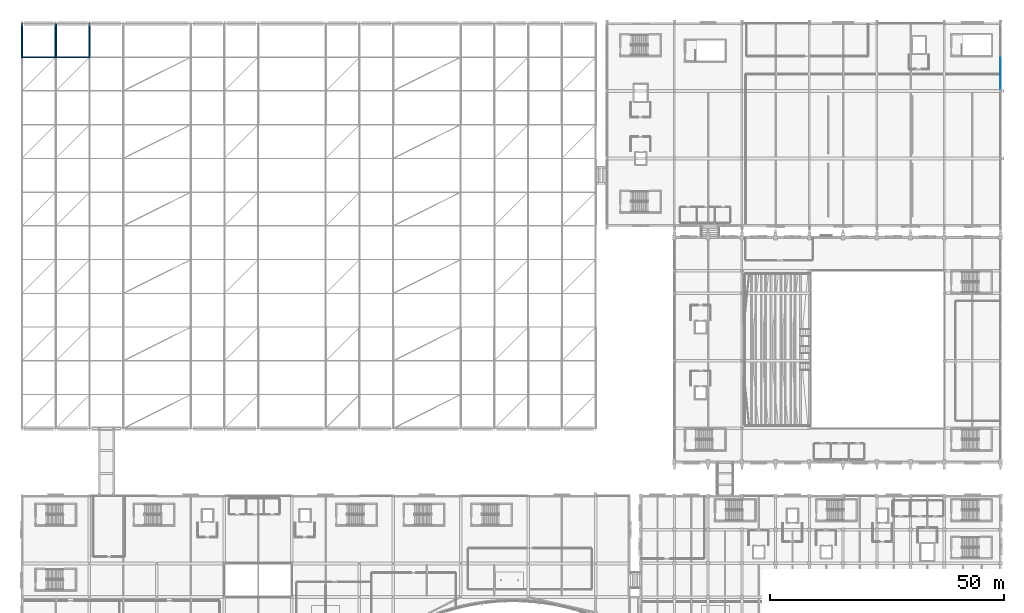
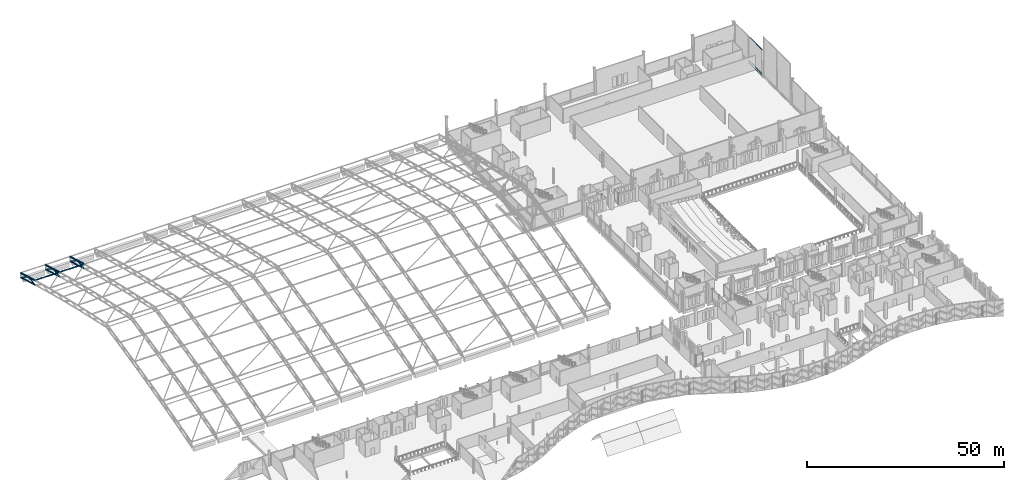
# One storey, part 96 of 193: 17 members, 1 element without a shape of its own.
"""IFC4 building model written with IfcOpenShell, lengths in metres."""

from ifc_helpers import new_model, si_unit, direction, frame, origin, origin_2d, place, context, subcontext, project, spatial, hollow_rectangle, hollow_circle, i_section, extrude, material, material_profile, profile_set, type_object, element, aggregate, save


model = new_model("IFC4")

# Units and contexts
model_context = context("Model", 3, precision=1e-05, world=origin(), true_north=direction((0.0, 1.0)))
body_context = subcontext(model_context, "Body", "Model", "MODEL_VIEW")
ifc_project = project(units=[si_unit("LENGTHUNIT", "METRE"), si_unit("AREAUNIT", "SQUARE_METRE"), si_unit("VOLUMEUNIT", "CUBIC_METRE"), si_unit("PLANEANGLEUNIT", "RADIAN"), si_unit("MASSUNIT", "GRAM", prefix="KILO")], contexts=[model_context])

# Site, building, storey
site_placement = place(None, origin())
site = spatial("IfcSite", under=ifc_project, at=site_placement, CompositionType="ELEMENT")
building_placement = place(site_placement, origin())
building = spatial("IfcBuilding", under=site, at=building_placement, Name="Cendralis Lancet Convention Centre", CompositionType="ELEMENT")
storey_placement = place(building_placement, frame((0.0, 0.0, 10.199951171875)))
storey = spatial("IfcBuildingStorey", under=building, at=storey_placement, Name="L02", CompositionType="ELEMENT", Elevation=10.199951171875)

# Curtain wall, members
ifc_material_1 = material(Name="Anodised bronze architectural aluminium", Category="aluminium")
curtain_wall_type = type_object("IfcCurtainWallType", Name="ARC-CW-BL02", PredefinedType="USERDEFINED", material=ifc_material_1)
curtain_wall_placement = place(storey_placement, origin())
curtain_wall = element("IfcCurtainWall", 1, at=curtain_wall_placement, inside=storey, type_object=curtain_wall_type, Name="L02 Curtain Wall CW-BL2 #162", ObjectType="CURTAIN WALL", PredefinedType="USERDEFINED")
ifc_material_profile_1 = material_profile(ifc_material_1, hollow_rectangle(XDim=0.06005859375, YDim=0.1201171875, WallThickness=0.00390625, at=origin_2d()), Name="AL-TRAN 60x120x4.0")
ifc_profile_set_1 = profile_set([ifc_material_profile_1], Name="Anodised bronze architectural aluminium")
member_type_1 = type_object("IfcMemberType", Name="ARC-CW-TR01", PredefinedType="USERDEFINED", material=ifc_profile_set_1)
member_1_placement = place(storey_placement, frame((208.800048828125, 129.530029296875, 0.06005859375), z_axis=(0.0, -1.0, 0.0), x_axis=(1.0, 0.0, 0.0)))
member_1 = element("IfcMember", 2, at=member_1_placement, type_object=member_type_1, Name="Transom CW2-CW-BL2-L02-162-T1BOT", ObjectType="TRANSOM", PredefinedType="USERDEFINED", context=body_context, shape_type="SweptSolid", body=[
    extrude(hollow_rectangle(XDim=0.06005859375, YDim=0.1201171875, WallThickness=0.00390625, at=origin_2d()), origin(), (0.0, 0.0, 1.0), 6.68505859375),
])
member_2_placement = place(storey_placement, frame((208.800048828125, 129.530029296875, 0.75), z_axis=(0.0, -1.0, 0.0), x_axis=(1.0, 0.0, 0.0)))
member_2 = element("IfcMember", 3, at=member_2_placement, type_object=member_type_1, Name="Transom CW2-CW-BL2-L02-162-T1MID", ObjectType="TRANSOM", PredefinedType="USERDEFINED", context=body_context, shape_type="SweptSolid", body=[
    extrude(hollow_rectangle(XDim=0.06005859375, YDim=0.1201171875, WallThickness=0.00390625, at=origin_2d()), origin(), (0.0, 0.0, 1.0), 6.68505859375),
])
member_3_placement = place(storey_placement, frame((208.800048828125, 129.530029296875, 8.18994140625), z_axis=(0.0, -1.0, 0.0), x_axis=(1.0, 0.0, 0.0)))
member_3 = element("IfcMember", 4, at=member_3_placement, type_object=member_type_1, Name="Transom CW2-CW-BL2-L02-162-T1TOP", ObjectType="TRANSOM", PredefinedType="USERDEFINED", context=body_context, shape_type="SweptSolid", body=[
    extrude(hollow_rectangle(XDim=0.06005859375, YDim=0.1201171875, WallThickness=0.00390625, at=origin_2d()), origin(), (0.0, 0.0, 1.0), 6.68505859375),
])
aggregate(curtain_wall, [member_1, member_2, member_3])

# Members
ifc_material_2 = material(Name="Steel S355", Category="steel")
ifc_material_profile_2 = material_profile(ifc_material_2, i_section(OverallWidth=0.135009765625, OverallDepth=0.27001953125, WebThickness=0.006591796875, FlangeThickness=0.01025390625, FilletRadius=0.014892578125, at=origin_2d()), Name="IPE 270")
ifc_profile_set_2 = profile_set([ifc_material_profile_2], Name="Steel S355")
member_type_2 = type_object("IfcMemberType", Name="STR-PR-PR01", PredefinedType="PURLIN", material=ifc_profile_set_2)
for number, where, z_axis, x_axis, name in (
    (5, (0.0, 129.60009765625, 5.771728515625), (1.0, 0.0, 0.0), (0.0, 1.0, 0.0), "Vault Roof Purlin PR01 V1-00-11"),
    (6, (7.199951171875, 129.60009765625, 5.771728515625), (1.0, 0.0, 0.0), (0.0, 1.0, 0.0), "Vault Roof Purlin PR01 V1-01-11"),
):
    element("IfcMember", number, at=place(storey_placement, frame(where, z_axis=z_axis, x_axis=x_axis)), inside=storey, type_object=member_type_2, Name=name, PredefinedType="PURLIN", context=body_context, shape_type="SweptSolid", body=[
        extrude(i_section(OverallWidth=0.135009765625, OverallDepth=0.27001953125, WebThickness=0.006591796875, FlangeThickness=0.01025390625, FilletRadius=0.014892578125, at=origin_2d()), origin(), (0.0, 0.0, 1.0), 7.199951171875),
    ])
ifc_material_profile_3 = material_profile(ifc_material_2, hollow_circle(Radius=0.203125, WallThickness=0.01611328125, at=origin_2d()), Name="CHS 406.4x16.0")
ifc_profile_set_3 = profile_set([ifc_material_profile_3], Name="Steel S355")
member_type_3 = type_object("IfcMemberType", Name="STR-TR-BC01", PredefinedType="CHORD", material=ifc_profile_set_3)
member_4_placement = place(storey_placement, frame((0.0, 129.48486328125, 4.32763671875), z_axis=(0.0, 0.960210680483, -0.279276653315), x_axis=(-1.0, 0.0, 0.0)))
element("IfcMember", 7, at=member_4_placement, inside=storey, type_object=member_type_3, Name="ROOF TRUSS AT-V1-01 Bottom Chord 11", PredefinedType="CHORD", context=body_context, shape_type="SweptSolid", body=[
    extrude(hollow_circle(Radius=0.203125, WallThickness=0.01611328125, at=origin_2d()), origin(), (0.0, 0.0, 1.0), 7.73828125),
])
ifc_material_profile_4 = material_profile(ifc_material_2, hollow_circle(Radius=0.203125, WallThickness=0.01611328125, at=origin_2d()), Name="CHS 406.4x16.0")
ifc_profile_set_4 = profile_set([ifc_material_profile_4], Name="Steel S355")
member_type_4 = type_object("IfcMemberType", Name="STR-TR-BC01-INT", PredefinedType="CHORD", material=ifc_profile_set_4)
for number, where, z_axis, x_axis, name in (
    (8, (7.199951171875, 129.48486328125, 4.32763671875), (0.0, 0.960210680483, -0.279276653315), (-1.0, 0.0, 0.0), "ROOF TRUSS AT-V1-02 Bottom Chord 11"),
    (9, (14.39990234375, 129.48486328125, 4.32763671875), (0.0, 0.960210680483, -0.279276653315), (-1.0, 0.0, 0.0), "ROOF TRUSS AT-V1-03 Bottom Chord 11"),
):
    element("IfcMember", number, at=place(storey_placement, frame(where, z_axis=z_axis, x_axis=x_axis)), inside=storey, type_object=member_type_4, Name=name, PredefinedType="CHORD", context=body_context, shape_type="SweptSolid", body=[
        extrude(hollow_circle(Radius=0.203125, WallThickness=0.01611328125, at=origin_2d()), origin(), (0.0, 0.0, 1.0), 7.73828125),
    ])
ifc_material_profile_5 = material_profile(ifc_material_2, hollow_circle(Radius=0.25390625, WallThickness=0.02001953125, at=origin_2d()), Name="CHS 508.0x20.0")
ifc_profile_set_5 = profile_set([ifc_material_profile_5], Name="Steel S355")
member_type_5 = type_object("IfcMemberType", Name="STR-TR-TC01", PredefinedType="CHORD", material=ifc_profile_set_5)
member_5_placement = place(storey_placement, frame((0.0, 129.484619140625, 5.689697265625), z_axis=(0.0, 0.961540636093, -0.274662711598), x_axis=(-1.0, 0.0, 0.0)))
element("IfcMember", 10, at=member_5_placement, inside=storey, type_object=member_type_5, Name="ROOF TRUSS AT-V1-01 Top Chord 11", PredefinedType="CHORD", context=body_context, shape_type="SweptSolid", body=[
    extrude(hollow_circle(Radius=0.25390625, WallThickness=0.02001953125, at=origin_2d()), origin(), (0.0, 0.0, 1.0), 7.727783203125),
])
ifc_material_profile_6 = material_profile(ifc_material_2, hollow_circle(Radius=0.25390625, WallThickness=0.02001953125, at=origin_2d()), Name="CHS 508.0x20.0")
ifc_profile_set_6 = profile_set([ifc_material_profile_6], Name="Steel S355")
member_type_6 = type_object("IfcMemberType", Name="STR-TR-TC01-INT", PredefinedType="CHORD", material=ifc_profile_set_6)
for number, where, z_axis, x_axis, name in (
    (11, (7.199951171875, 129.484619140625, 5.689697265625), (0.0, 0.961540636093, -0.274662711598), (-1.0, 0.0, 0.0), "ROOF TRUSS AT-V1-02 Top Chord 11"),
    (12, (14.39990234375, 129.484619140625, 5.689697265625), (0.0, 0.961540636093, -0.274662711598), (-1.0, 0.0, 0.0), "ROOF TRUSS AT-V1-03 Top Chord 11"),
):
    element("IfcMember", number, at=place(storey_placement, frame(where, z_axis=z_axis, x_axis=x_axis)), inside=storey, type_object=member_type_6, Name=name, PredefinedType="CHORD", context=body_context, shape_type="SweptSolid", body=[
        extrude(hollow_circle(Radius=0.25390625, WallThickness=0.02001953125, at=origin_2d()), origin(), (0.0, 0.0, 1.0), 7.727783203125),
    ])
ifc_material_profile_7 = material_profile(ifc_material_2, hollow_circle(Radius=0.149169921875, WallThickness=0.012451171875, at=origin_2d()), Name="CHS 298.5x12.5")
ifc_profile_set_7 = profile_set([ifc_material_profile_7], Name="Steel S355")
member_type_7 = type_object("IfcMemberType", Name="STR-TR-WD01", PredefinedType="BRACE", material=ifc_profile_set_7)
member_6_placement = place(storey_placement, frame((0.0, 129.50048828125, 4.284912109375), z_axis=(0.0, 0.995716162115, 0.092462557307), x_axis=(-1.0, 0.0, 0.0)))
element("IfcMember", 13, at=member_6_placement, inside=storey, type_object=member_type_7, Name="ROOF TRUSS AT-V1-01 Warren Web 11-0", PredefinedType="BRACE", context=body_context, shape_type="SweptSolid", body=[
    extrude(hollow_circle(Radius=0.149169921875, WallThickness=0.012451171875, at=origin_2d()), origin(), (0.0, 0.0, 1.0), 3.8154296875),
])
member_7_placement = place(storey_placement, frame((0.0, 133.1171875, 4.684326171875), z_axis=(0.0, 0.82900316973, -0.559243904372), x_axis=(-1.0, 0.0, 0.0)))
element("IfcMember", 14, at=member_7_placement, inside=storey, type_object=member_type_7, Name="ROOF TRUSS AT-V1-01 Warren Web 11-1", PredefinedType="BRACE", context=body_context, shape_type="SweptSolid", body=[
    extrude(hollow_circle(Radius=0.149169921875, WallThickness=0.012451171875, at=origin_2d()), origin(), (0.0, 0.0, 1.0), 4.542236328125),
])
ifc_material_profile_8 = material_profile(ifc_material_2, hollow_circle(Radius=0.149169921875, WallThickness=0.012451171875, at=origin_2d()), Name="CHS 298.5x12.5")
ifc_profile_set_8 = profile_set([ifc_material_profile_8], Name="Steel S355")
member_type_8 = type_object("IfcMemberType", Name="STR-TR-WD01-INT", PredefinedType="BRACE", material=ifc_profile_set_8)
member_8_placement = place(storey_placement, frame((7.199951171875, 129.50048828125, 4.284912109375), z_axis=(0.0, 0.995716162115, 0.092462557307), x_axis=(-1.0, 0.0, 0.0)))
element("IfcMember", 15, at=member_8_placement, inside=storey, type_object=member_type_8, Name="ROOF TRUSS AT-V1-02 Warren Web 11-0", PredefinedType="BRACE", context=body_context, shape_type="SweptSolid", body=[
    extrude(hollow_circle(Radius=0.149169921875, WallThickness=0.012451171875, at=origin_2d()), origin(), (0.0, 0.0, 1.0), 3.8154296875),
])
member_9_placement = place(storey_placement, frame((7.199951171875, 133.1171875, 4.684326171875), z_axis=(0.0, 0.82900316973, -0.559243904372), x_axis=(-1.0, 0.0, 0.0)))
element("IfcMember", 16, at=member_9_placement, inside=storey, type_object=member_type_8, Name="ROOF TRUSS AT-V1-02 Warren Web 11-1", PredefinedType="BRACE", context=body_context, shape_type="SweptSolid", body=[
    extrude(hollow_circle(Radius=0.149169921875, WallThickness=0.012451171875, at=origin_2d()), origin(), (0.0, 0.0, 1.0), 4.542236328125),
])
member_10_placement = place(storey_placement, frame((14.39990234375, 129.50048828125, 4.284912109375), z_axis=(0.0, 0.995716162115, 0.092462557307), x_axis=(-1.0, 0.0, 0.0)))
element("IfcMember", 17, at=member_10_placement, inside=storey, type_object=member_type_8, Name="ROOF TRUSS AT-V1-03 Warren Web 11-0", PredefinedType="BRACE", context=body_context, shape_type="SweptSolid", body=[
    extrude(hollow_circle(Radius=0.149169921875, WallThickness=0.012451171875, at=origin_2d()), origin(), (0.0, 0.0, 1.0), 3.8154296875),
])
member_11_placement = place(storey_placement, frame((14.39990234375, 133.1171875, 4.684326171875), z_axis=(0.0, 0.82900316973, -0.559243904372), x_axis=(-1.0, 0.0, 0.0)))
element("IfcMember", 18, at=member_11_placement, inside=storey, type_object=member_type_8, Name="ROOF TRUSS AT-V1-03 Warren Web 11-1", PredefinedType="BRACE", context=body_context, shape_type="SweptSolid", body=[
    extrude(hollow_circle(Radius=0.149169921875, WallThickness=0.012451171875, at=origin_2d()), origin(), (0.0, 0.0, 1.0), 4.542236328125),
])

save(model, "model.ifc")
